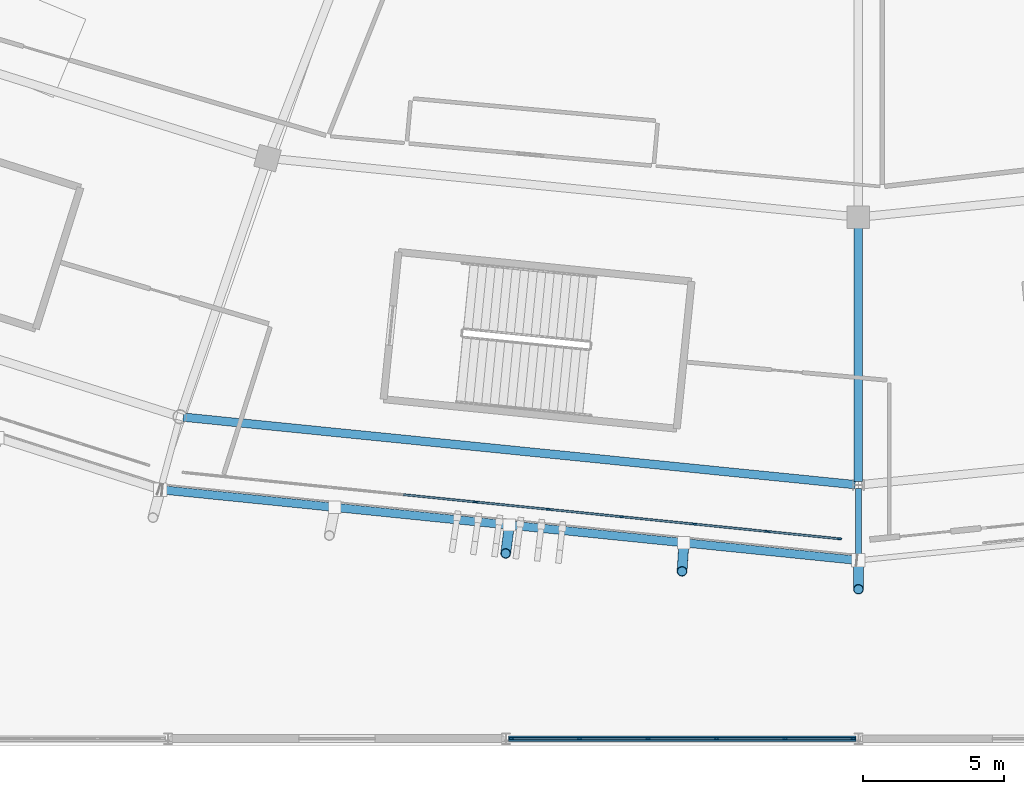
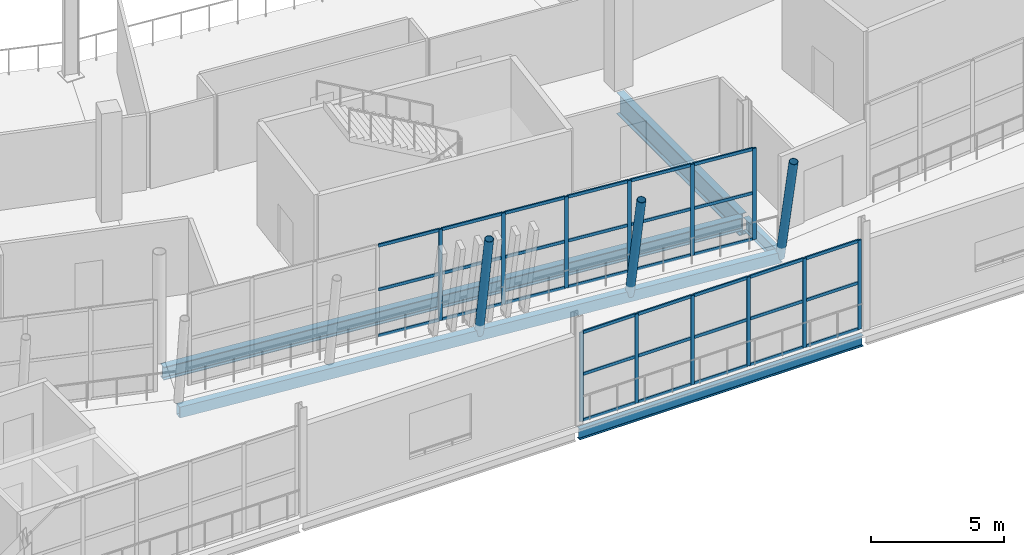
# One storey, part 36 of 179: 48 members, 5 beams, 2 elements without a shape of their own.
"""IFC4 building model written with IfcOpenShell, lengths in metres."""

import ifcopenshell
import ifcopenshell.guid

model = None  # the IFC model being written
_history = None  # IfcOwnerHistory: only IFC2X3 demands one
_inside = {}  # id of a spatial element -> (the spatial element, [elements in it])
_under = {}  # id of a project, library or spatial element -> (it, [spatial elements below it])
_declared = {}  # id of a project -> (the project, [libraries it declares])
_typed = {}  # id of a type object -> (the type object, [elements of that type])
_made_of = {}  # id of a material, layer set ... -> (it, [elements and type objects made of it])


def new_model(schema):
    """Start an empty IFC model of exactly this schema.

    Asked for "IFC4X3", IfcOpenShell would pick the latest addendum, in which some entities
    have other attributes; the version numbers below select the first issue.
    IFC2X3 requires an IfcOwnerHistory on every rooted entity: one is made here for all.
    """
    global model, _history
    if schema == "IFC4X3":
        model = ifcopenshell.file(schema_version=(4, 3, 0, 0))
    else:
        model = ifcopenshell.file(schema=schema)
    _inside.clear()
    _under.clear()
    _declared.clear()
    _typed.clear()
    _made_of.clear()
    _history = None
    if model.schema == "IFC2X3":
        org = make("IfcOrganization", Name="unknown")
        user = make(
            "IfcPersonAndOrganization",
            ThePerson=make("IfcPerson", FamilyName="unknown"),
            TheOrganization=org,
        )
        app = make(
            "IfcApplication",
            ApplicationDeveloper=org,
            Version="unknown",
            ApplicationFullName="unknown",
            ApplicationIdentifier="unknown",
        )
        _history = make(
            "IfcOwnerHistory",
            OwningUser=user,
            OwningApplication=app,
            ChangeAction="ADDED",
            CreationDate=0,
        )
    return model


def make(cls, **values):
    """One entity of the class cls with the attributes given. An attribute that is None is left unset."""
    return model.create_entity(
        cls, **{name: value for name, value in values.items() if value is not None}
    )


def rooted(cls, **values):
    """An entity with a GlobalId (a new one), such as an element, a storey or a relation."""
    return make(cls, GlobalId=ifcopenshell.guid.new(), OwnerHistory=_history, **values)


def si_unit(unit_type, name, prefix=None):
    """IfcSIUnit, for example si_unit("LENGTHUNIT", "METRE", prefix="MILLI")."""
    return make("IfcSIUnit", UnitType=unit_type, Prefix=prefix, Name=name)


def assignment(units):
    """IfcUnitAssignment: the units of a project."""
    return None if units is None else make("IfcUnitAssignment", Units=units)


def point(xyz):
    """IfcCartesianPoint."""
    return None if xyz is None else make("IfcCartesianPoint", Coordinates=xyz)


def direction(xyz):
    """IfcDirection."""
    return None if xyz is None else make("IfcDirection", DirectionRatios=xyz)


def frame(location, z_axis=None, x_axis=None):
    """IfcAxis2Placement3D, a coordinate frame: its origin and axes. An axis left out is left unset."""
    return make(
        "IfcAxis2Placement3D",
        Location=point(location),
        Axis=direction(z_axis),
        RefDirection=direction(x_axis),
    )


def frame_2d(location, x_axis=None):
    """IfcAxis2Placement2D, a coordinate frame in the plane: its origin and x axis."""
    return make(
        "IfcAxis2Placement2D", Location=point(location), RefDirection=direction(x_axis)
    )


def origin():
    """The frame at (0, 0, 0) with its axes left unset."""
    return frame((0.0, 0.0, 0.0))


def origin_2d():
    """The frame at (0, 0) in the plane with its x axis left unset."""
    return frame_2d((0.0, 0.0))


def place(relative_to, where):
    """IfcLocalPlacement: puts the frame where relative to a parent placement (None: the world)."""
    return make(
        "IfcLocalPlacement", PlacementRelTo=relative_to, RelativePlacement=where
    )


def context(
    kind, dimensions, precision=None, world=None, true_north=None, identifier=None
):
    """IfcGeometricRepresentationContext, for example the 3D "Model" context."""
    return make(
        "IfcGeometricRepresentationContext",
        ContextIdentifier=identifier,
        ContextType=kind,
        CoordinateSpaceDimension=dimensions,
        Precision=precision,
        WorldCoordinateSystem=world,
        TrueNorth=true_north,
    )


def subcontext(parent, identifier, kind, view, scale=None):
    """IfcGeometricRepresentationSubContext, for example "Body" below "Model"."""
    return make(
        "IfcGeometricRepresentationSubContext",
        ContextIdentifier=identifier,
        ContextType=kind,
        ParentContext=parent,
        TargetScale=scale,
        TargetView=view,
    )


def project(units=None, contexts=None):
    """IfcProject with its units and contexts."""
    return rooted(
        "IfcProject",
        Name="project",
        RepresentationContexts=contexts,
        UnitsInContext=assignment(units),
    )


def spatial(cls, under=None, at=None, **own):
    """A site, building, storey or space (cls), placed at a placement, below another one or the project."""
    s = rooted(cls, ObjectPlacement=at, **own)
    if under is not None:
        _under.setdefault(under.id(), (under, []))[1].append(s)
    return s


def profile(cls, at=None, kind="AREA", **sizes):
    """A parametric profile (cls). Its sizes go by their IFC names, for example OverallWidth=200.0."""
    return make(cls, ProfileType=kind, Position=at, **sizes)


def rectangle(**sizes):
    """IfcRectangleProfileDef."""
    return profile("IfcRectangleProfileDef", **sizes)


def hollow_rectangle(**sizes):
    """IfcRectangleHollowProfileDef."""
    return profile("IfcRectangleHollowProfileDef", **sizes)


def hollow_circle(**sizes):
    """IfcCircleHollowProfileDef."""
    return profile("IfcCircleHollowProfileDef", **sizes)


def i_section(**sizes):
    """IfcIShapeProfileDef."""
    return profile("IfcIShapeProfileDef", **sizes)


def extrude(swept, where, along, depth):
    """IfcExtrudedAreaSolid: the profile swept, set in the frame where, extruded along a direction by depth."""
    return make(
        "IfcExtrudedAreaSolid",
        SweptArea=swept,
        Position=where,
        ExtrudedDirection=direction(along),
        Depth=depth,
    )


def shape(context_of_items, identifier, shape_type, items):
    """IfcShapeRepresentation: the items that make up one representation, for example the "Body"."""
    return make(
        "IfcShapeRepresentation",
        ContextOfItems=context_of_items,
        RepresentationIdentifier=identifier,
        RepresentationType=shape_type,
        Items=items,
    )


def material(Name=None, Category=None):
    """IfcMaterial."""
    return make("IfcMaterial", Name=Name, Category=Category)


def material_profile(
    of_material, cross_section, Name=None, Category=None, Priority=None
):
    """IfcMaterialProfile: a cross section and its material."""
    return make(
        "IfcMaterialProfile",
        Name=Name,
        Material=of_material,
        Profile=cross_section,
        Priority=Priority,
        Category=Category,
    )


def profile_set(profiles, Name=None, composite=None):
    """IfcMaterialProfileSet."""
    return make(
        "IfcMaterialProfileSet",
        Name=Name,
        MaterialProfiles=profiles,
        CompositeProfile=composite,
    )


def made_of(thing, what):
    """Note that an element or type object is made of a material, layer set ...; save() writes the relation."""
    if what is not None:
        _made_of.setdefault(what.id(), (what, []))[1].append(thing)
    return thing


def type_object(cls, material=None, **own):
    """A type object (cls), such as IfcWallType, which elements share."""
    return made_of(rooted(cls, **own), material)


def element(
    cls,
    number,
    at=None,
    inside=None,
    cuts=None,
    type_object=None,
    material=None,
    context=None,
    identifier="Body",
    shape_type=None,
    held_by="IfcProductDefinitionShape",
    body=None,
    shapes=None,
    **own,
):
    """One element of the class cls, such as IfcWall. Its Tag is "e" and its number.

    at: its placement. inside: the storey or other place that contains it. cuts: it is an
    opening in that element (IfcRelVoidsElement). A single representation is given by context,
    identifier, shape_type and body (its items); several are given by shapes. held_by: the class
    of the entity that holds the representations. save() writes the other relations.
    """
    e = rooted(cls, Tag="e%d" % number, ObjectPlacement=at, **own)
    if body is not None:
        shapes = [shape(context, identifier, shape_type, body)]
    if shapes is not None:
        e.Representation = make(held_by, Representations=shapes)
    if inside is not None:
        _inside.setdefault(inside.id(), (inside, []))[1].append(e)
    if cuts is not None:
        rooted(
            "IfcRelVoidsElement", RelatingBuildingElement=cuts, RelatedOpeningElement=e
        )
    if type_object is not None:
        _typed.setdefault(type_object.id(), (type_object, []))[1].append(e)
    return made_of(e, material)


def aggregate(whole, parts):
    """IfcRelAggregates: a whole, such as a stair, and the parts it consists of."""
    return rooted("IfcRelAggregates", RelatingObject=whole, RelatedObjects=parts)


def save(model, path):
    """Write the relations noted so far, then the file.

    IfcRelAggregates (storeys below a building ...), IfcRelContainedInSpatialStructure (elements
    in a storey), IfcRelDefinesByType, IfcRelAssociatesMaterial and IfcRelDeclares: one each for
    every whole, place, type object, material and project.
    """
    for whole, parts in _under.values():
        aggregate(whole, parts)
    for where, things in _inside.values():
        rooted(
            "IfcRelContainedInSpatialStructure",
            RelatedElements=things,
            RelatingStructure=where,
        )
    for kind, things in _typed.values():
        rooted("IfcRelDefinesByType", RelatedObjects=things, RelatingType=kind)
    for what, things in _made_of.values():
        rooted("IfcRelAssociatesMaterial", RelatedObjects=things, RelatingMaterial=what)
    for by, libraries in _declared.values():
        rooted("IfcRelDeclares", RelatingContext=by, RelatedDefinitions=libraries)
    model.write(path)


model = new_model("IFC4")

# Units and contexts
model_context = context("Model", 3, precision=1e-05, world=origin(), true_north=direction((0.0, 1.0)))
body_context = subcontext(model_context, "Body", "Model", "MODEL_VIEW")
ifc_project = project(units=[si_unit("LENGTHUNIT", "METRE"), si_unit("AREAUNIT", "SQUARE_METRE"), si_unit("VOLUMEUNIT", "CUBIC_METRE"), si_unit("PLANEANGLEUNIT", "RADIAN"), si_unit("MASSUNIT", "GRAM", prefix="KILO")], contexts=[model_context])

# Site, building, storey
site_placement = place(None, origin())
site = spatial("IfcSite", under=ifc_project, at=site_placement, CompositionType="ELEMENT")
building_placement = place(site_placement, origin())
building = spatial("IfcBuilding", under=site, at=building_placement, Name="Zlatoyarsky Gate Stadium", CompositionType="ELEMENT")
storey_placement = place(building_placement, frame((0.0, 0.0, 10.60009765625)))
storey = spatial("IfcBuildingStorey", under=building, at=storey_placement, Name="L02", CompositionType="ELEMENT", Elevation=10.60009765625)

# Curtain wall, members
ifc_material_1 = material(Name="Thermally broken anodised aluminium curtain wall", Category="aluminium")
curtain_wall_type_1 = type_object("IfcCurtainWallType", Name="UNITISED HOSPITALITY GLAZING L02", PredefinedType="USERDEFINED", material=ifc_material_1)
curtain_wall_1_placement = place(storey_placement, origin())
curtain_wall_1 = element("IfcCurtainWall", 1, at=curtain_wall_1_placement, inside=storey, type_object=curtain_wall_type_1, Name="Curtain wall CW-L02-17", ObjectType="UNITISED GLAZING", PredefinedType="USERDEFINED")
ifc_material_2 = material(Name="Anodised aluminium 6063-T6", Category="aluminium")
ifc_material_profile_1 = material_profile(ifc_material_2, rectangle(XDim=0.06494140625, YDim=0.159912109375, at=origin_2d()), Name="ALU 65X160")
ifc_profile_set_1 = profile_set([ifc_material_profile_1], Name="Anodised aluminium 6063-T6")
member_type_1 = type_object("IfcMemberType", Name="ALUMINIUM MULLION 65X160", PredefinedType="MULLION", material=ifc_profile_set_1)
member_1_placement = place(storey_placement, frame((97.41552734375, 8.398193359375, 0.0), z_axis=(0.0, 0.0, 1.0), x_axis=(0.100644885375, 0.994922412577, 0.0)))
member_1 = element("IfcMember", 2, at=member_1_placement, type_object=member_type_1, Name="CW-UG2 mullion 5", PredefinedType="MULLION", context=body_context, shape_type="SweptSolid", body=[
    extrude(rectangle(XDim=0.06494140625, YDim=0.159912109375, at=origin_2d()), origin(), (0.0, 0.0, 1.0), 4.199951171875),
])
member_2_placement = place(storey_placement, frame((100.0029296875, 8.136474609375, 0.0), z_axis=(0.0, 0.0, 1.0), x_axis=(0.100644885375, 0.994922412577, 0.0)))
member_2 = element("IfcMember", 3, at=member_2_placement, type_object=member_type_1, Name="CW-UG2 mullion 6", PredefinedType="MULLION", context=body_context, shape_type="SweptSolid", body=[
    extrude(rectangle(XDim=0.06494140625, YDim=0.159912109375, at=origin_2d()), origin(), (0.0, 0.0, 1.0), 4.199951171875),
])
member_3_placement = place(storey_placement, frame((102.590576171875, 7.874755859375, 0.0), z_axis=(0.0, 0.0, 1.0), x_axis=(0.100644885375, 0.994922412577, 0.0)))
member_3 = element("IfcMember", 4, at=member_3_placement, type_object=member_type_1, Name="CW-UG2 mullion 7", PredefinedType="MULLION", context=body_context, shape_type="SweptSolid", body=[
    extrude(rectangle(XDim=0.06494140625, YDim=0.159912109375, at=origin_2d()), origin(), (0.0, 0.0, 1.0), 4.199951171875),
])
member_4_placement = place(storey_placement, frame((105.17822265625, 7.613037109375, 0.0), z_axis=(0.0, 0.0, 1.0), x_axis=(0.100644885375, 0.994922412577, 0.0)))
member_4 = element("IfcMember", 5, at=member_4_placement, type_object=member_type_1, Name="CW-UG2 mullion 8", PredefinedType="MULLION", context=body_context, shape_type="SweptSolid", body=[
    extrude(rectangle(XDim=0.06494140625, YDim=0.159912109375, at=origin_2d()), origin(), (0.0, 0.0, 1.0), 4.199951171875),
])
member_5_placement = place(storey_placement, frame((107.765625, 7.351318359375, 0.0), z_axis=(0.0, 0.0, 1.0), x_axis=(0.100644885375, 0.994922412577, 0.0)))
member_5 = element("IfcMember", 6, at=member_5_placement, type_object=member_type_1, Name="CW-UG2 mullion 9", PredefinedType="MULLION", context=body_context, shape_type="SweptSolid", body=[
    extrude(rectangle(XDim=0.06494140625, YDim=0.159912109375, at=origin_2d()), origin(), (0.0, 0.0, 1.0), 4.199951171875),
])
member_6_placement = place(storey_placement, frame((110.321044921875, 7.0927734375, 0.0), z_axis=(0.0, 0.0, 1.0), x_axis=(0.100644885375, 0.994922412577, 0.0)))
member_6 = element("IfcMember", 7, at=member_6_placement, type_object=member_type_1, Name="CW-UG2 mullion 10", PredefinedType="MULLION", context=body_context, shape_type="SweptSolid", body=[
    extrude(rectangle(XDim=0.06494140625, YDim=0.159912109375, at=origin_2d()), origin(), (0.0, 0.0, 1.0), 4.199951171875),
])

curtain_wall_type_2 = type_object("IfcCurtainWallType", Name="WINTER GARDEN CONSERVATORY GLAZING", PredefinedType="USERDEFINED", material=ifc_material_1)
curtain_wall_2_placement = place(storey_placement, origin())
curtain_wall_2 = element("IfcCurtainWall", 8, at=curtain_wall_2_placement, inside=storey, type_object=curtain_wall_type_2, Name="Curtain wall CW-V3_SOUTH-L02-162", ObjectType="UNITISED GLAZING", PredefinedType="USERDEFINED")
member_7_placement = place(storey_placement, frame((98.694580078125, 0.0, 0.0), z_axis=(0.0, 0.0, 1.0), x_axis=(0.0, 1.0, 0.0)))
member_7 = element("IfcMember", 9, at=member_7_placement, type_object=member_type_1, Name="CW-WG1 mullion 1", PredefinedType="MULLION", context=body_context, shape_type="SweptSolid", body=[
    extrude(rectangle(XDim=0.06494140625, YDim=0.159912109375, at=origin_2d()), origin(), (0.0, 0.0, 1.0), 4.099853515625),
])
member_8_placement = place(storey_placement, frame((101.09716796875, 0.0, 0.0), z_axis=(0.0, 0.0, 1.0), x_axis=(0.0, 1.0, 0.0)))
member_8 = element("IfcMember", 10, at=member_8_placement, type_object=member_type_1, Name="CW-WG1 mullion 2", PredefinedType="MULLION", context=body_context, shape_type="SweptSolid", body=[
    extrude(rectangle(XDim=0.06494140625, YDim=0.159912109375, at=origin_2d()), origin(), (0.0, 0.0, 1.0), 4.099853515625),
])
member_9_placement = place(storey_placement, frame((103.532470703125, 0.0, 0.0), z_axis=(0.0, 0.0, 1.0), x_axis=(0.0, 1.0, 0.0)))
member_9 = element("IfcMember", 11, at=member_9_placement, type_object=member_type_1, Name="CW-WG1 mullion 3", PredefinedType="MULLION", context=body_context, shape_type="SweptSolid", body=[
    extrude(rectangle(XDim=0.06494140625, YDim=0.159912109375, at=origin_2d()), origin(), (0.0, 0.0, 1.0), 4.099853515625),
])
member_10_placement = place(storey_placement, frame((105.967529296875, 0.0, 0.0), z_axis=(0.0, 0.0, 1.0), x_axis=(0.0, 1.0, 0.0)))
member_10 = element("IfcMember", 12, at=member_10_placement, type_object=member_type_1, Name="CW-WG1 mullion 4", PredefinedType="MULLION", context=body_context, shape_type="SweptSolid", body=[
    extrude(rectangle(XDim=0.06494140625, YDim=0.159912109375, at=origin_2d()), origin(), (0.0, 0.0, 1.0), 4.099853515625),
])
member_11_placement = place(storey_placement, frame((108.40283203125, 0.0, 0.0), z_axis=(0.0, 0.0, 1.0), x_axis=(0.0, 1.0, 0.0)))
member_11 = element("IfcMember", 13, at=member_11_placement, type_object=member_type_1, Name="CW-WG1 mullion 5", PredefinedType="MULLION", context=body_context, shape_type="SweptSolid", body=[
    extrude(rectangle(XDim=0.06494140625, YDim=0.159912109375, at=origin_2d()), origin(), (0.0, 0.0, 1.0), 4.099853515625),
])
member_12_placement = place(storey_placement, frame((110.805419921875, 0.0, 0.0), z_axis=(0.0, 0.0, 1.0), x_axis=(0.0, 1.0, 0.0)))
member_12 = element("IfcMember", 14, at=member_12_placement, type_object=member_type_1, Name="CW-WG1 mullion 6", PredefinedType="MULLION", context=body_context, shape_type="SweptSolid", body=[
    extrude(rectangle(XDim=0.06494140625, YDim=0.159912109375, at=origin_2d()), origin(), (0.0, 0.0, 1.0), 4.099853515625),
])

# Member
ifc_material_profile_2 = material_profile(ifc_material_2, rectangle(XDim=0.06494140625, YDim=0.139892578125, at=origin_2d()), Name="ALU 65X140")
ifc_profile_set_2 = profile_set([ifc_material_profile_2], Name="Anodised aluminium 6063-T6")
member_type_2 = type_object("IfcMemberType", Name="ALUMINIUM TRANSOM 65X140", PredefinedType="USERDEFINED", material=ifc_profile_set_2)
member_13_placement = place(storey_placement, frame((94.860107421875, 8.65673828125, 0.032470703125), z_axis=(0.994926000307, -0.10060941265, 0.0), x_axis=(0.10060941265, 0.994926000307, 0.0)))
member_13 = element("IfcMember", 15, at=member_13_placement, type_object=member_type_2, Name="CW-UG2 transom 4.1", ObjectType="TRANSOM", PredefinedType="USERDEFINED", context=body_context, shape_type="SweptSolid", body=[
    extrude(rectangle(XDim=0.06494140625, YDim=0.139892578125, at=origin_2d()), origin(), (0.0, 0.0, 1.0), 2.535888671875),
])

member_14_placement = place(storey_placement, frame((94.860107421875, 8.65673828125, 2.14990234375), z_axis=(0.994926000307, -0.10060941265, 0.0), x_axis=(0.10060941265, 0.994926000307, 0.0)))
member_14 = element("IfcMember", 16, at=member_14_placement, type_object=member_type_2, Name="CW-UG2 transom 4.2", ObjectType="TRANSOM", PredefinedType="USERDEFINED", context=body_context, shape_type="SweptSolid", body=[
    extrude(rectangle(XDim=0.06494140625, YDim=0.139892578125, at=origin_2d()), origin(), (0.0, 0.0, 1.0), 2.535888671875),
])

member_15_placement = place(storey_placement, frame((94.860107421875, 8.65673828125, 4.16748046875), z_axis=(0.994926000307, -0.10060941265, 0.0), x_axis=(0.10060941265, 0.994926000307, 0.0)))
member_15 = element("IfcMember", 17, at=member_15_placement, type_object=member_type_2, Name="CW-UG2 transom 4.3", ObjectType="TRANSOM", PredefinedType="USERDEFINED", context=body_context, shape_type="SweptSolid", body=[
    extrude(rectangle(XDim=0.06494140625, YDim=0.139892578125, at=origin_2d()), origin(), (0.0, 0.0, 1.0), 2.535888671875),
])

member_16_placement = place(storey_placement, frame((97.44775390625, 8.39501953125, 0.032470703125), z_axis=(0.994926000307, -0.10060941265, 0.0), x_axis=(0.10060941265, 0.994926000307, 0.0)))
member_16 = element("IfcMember", 18, at=member_16_placement, type_object=member_type_2, Name="CW-UG2 transom 5.1", ObjectType="TRANSOM", PredefinedType="USERDEFINED", context=body_context, shape_type="SweptSolid", body=[
    extrude(rectangle(XDim=0.06494140625, YDim=0.139892578125, at=origin_2d()), origin(), (0.0, 0.0, 1.0), 2.535888671875),
])

member_17_placement = place(storey_placement, frame((97.44775390625, 8.39501953125, 2.14990234375), z_axis=(0.994926000307, -0.10060941265, 0.0), x_axis=(0.10060941265, 0.994926000307, 0.0)))
member_17 = element("IfcMember", 19, at=member_17_placement, type_object=member_type_2, Name="CW-UG2 transom 5.2", ObjectType="TRANSOM", PredefinedType="USERDEFINED", context=body_context, shape_type="SweptSolid", body=[
    extrude(rectangle(XDim=0.06494140625, YDim=0.139892578125, at=origin_2d()), origin(), (0.0, 0.0, 1.0), 2.535888671875),
])

member_18_placement = place(storey_placement, frame((97.44775390625, 8.39501953125, 4.16748046875), z_axis=(0.994926000307, -0.10060941265, 0.0), x_axis=(0.10060941265, 0.994926000307, 0.0)))
member_18 = element("IfcMember", 20, at=member_18_placement, type_object=member_type_2, Name="CW-UG2 transom 5.3", ObjectType="TRANSOM", PredefinedType="USERDEFINED", context=body_context, shape_type="SweptSolid", body=[
    extrude(rectangle(XDim=0.06494140625, YDim=0.139892578125, at=origin_2d()), origin(), (0.0, 0.0, 1.0), 2.535888671875),
])

member_19_placement = place(storey_placement, frame((100.035400390625, 8.13330078125, 0.032470703125), z_axis=(0.994916358617, -0.100704713675, 0.0), x_axis=(0.100704713675, 0.994916358617, 0.0)))
member_19 = element("IfcMember", 21, at=member_19_placement, type_object=member_type_2, Name="CW-UG2 transom 6.1", ObjectType="TRANSOM", PredefinedType="USERDEFINED", context=body_context, shape_type="SweptSolid", body=[
    extrude(rectangle(XDim=0.06494140625, YDim=0.139892578125, at=origin_2d()), origin(), (0.0, 0.0, 1.0), 2.535888671875),
])

member_20_placement = place(storey_placement, frame((100.035400390625, 8.13330078125, 2.14990234375), z_axis=(0.994916358617, -0.100704713675, 0.0), x_axis=(0.100704713675, 0.994916358617, 0.0)))
member_20 = element("IfcMember", 22, at=member_20_placement, type_object=member_type_2, Name="CW-UG2 transom 6.2", ObjectType="TRANSOM", PredefinedType="USERDEFINED", context=body_context, shape_type="SweptSolid", body=[
    extrude(rectangle(XDim=0.06494140625, YDim=0.139892578125, at=origin_2d()), origin(), (0.0, 0.0, 1.0), 2.535888671875),
])

member_21_placement = place(storey_placement, frame((100.035400390625, 8.13330078125, 4.16748046875), z_axis=(0.994916358617, -0.100704713675, 0.0), x_axis=(0.100704713675, 0.994916358617, 0.0)))
member_21 = element("IfcMember", 23, at=member_21_placement, type_object=member_type_2, Name="CW-UG2 transom 6.3", ObjectType="TRANSOM", PredefinedType="USERDEFINED", context=body_context, shape_type="SweptSolid", body=[
    extrude(rectangle(XDim=0.06494140625, YDim=0.139892578125, at=origin_2d()), origin(), (0.0, 0.0, 1.0), 2.535888671875),
])

member_22_placement = place(storey_placement, frame((102.622802734375, 7.87158203125, 0.032470703125), z_axis=(0.994916358617, -0.100704713675, 0.0), x_axis=(0.100704713675, 0.994916358617, 0.0)))
member_22 = element("IfcMember", 24, at=member_22_placement, type_object=member_type_2, Name="CW-UG2 transom 7.1", ObjectType="TRANSOM", PredefinedType="USERDEFINED", context=body_context, shape_type="SweptSolid", body=[
    extrude(rectangle(XDim=0.06494140625, YDim=0.139892578125, at=origin_2d()), origin(), (0.0, 0.0, 1.0), 2.535888671875),
])

member_23_placement = place(storey_placement, frame((102.622802734375, 7.87158203125, 2.14990234375), z_axis=(0.994916358617, -0.100704713675, 0.0), x_axis=(0.100704713675, 0.994916358617, 0.0)))
member_23 = element("IfcMember", 25, at=member_23_placement, type_object=member_type_2, Name="CW-UG2 transom 7.2", ObjectType="TRANSOM", PredefinedType="USERDEFINED", context=body_context, shape_type="SweptSolid", body=[
    extrude(rectangle(XDim=0.06494140625, YDim=0.139892578125, at=origin_2d()), origin(), (0.0, 0.0, 1.0), 2.535888671875),
])

member_24_placement = place(storey_placement, frame((102.622802734375, 7.87158203125, 4.16748046875), z_axis=(0.994916358617, -0.100704713675, 0.0), x_axis=(0.100704713675, 0.994916358617, 0.0)))
member_24 = element("IfcMember", 26, at=member_24_placement, type_object=member_type_2, Name="CW-UG2 transom 7.3", ObjectType="TRANSOM", PredefinedType="USERDEFINED", context=body_context, shape_type="SweptSolid", body=[
    extrude(rectangle(XDim=0.06494140625, YDim=0.139892578125, at=origin_2d()), origin(), (0.0, 0.0, 1.0), 2.535888671875),
])

member_25_placement = place(storey_placement, frame((105.21044921875, 7.609619140625, 0.032470703125), z_axis=(0.994926000307, -0.10060941265, 0.0), x_axis=(0.10060941265, 0.994926000307, 0.0)))
member_25 = element("IfcMember", 27, at=member_25_placement, type_object=member_type_2, Name="CW-UG2 transom 8.1", ObjectType="TRANSOM", PredefinedType="USERDEFINED", context=body_context, shape_type="SweptSolid", body=[
    extrude(rectangle(XDim=0.06494140625, YDim=0.139892578125, at=origin_2d()), origin(), (0.0, 0.0, 1.0), 2.535888671875),
])

member_26_placement = place(storey_placement, frame((105.21044921875, 7.609619140625, 2.14990234375), z_axis=(0.994926000307, -0.10060941265, 0.0), x_axis=(0.10060941265, 0.994926000307, 0.0)))
member_26 = element("IfcMember", 28, at=member_26_placement, type_object=member_type_2, Name="CW-UG2 transom 8.2", ObjectType="TRANSOM", PredefinedType="USERDEFINED", context=body_context, shape_type="SweptSolid", body=[
    extrude(rectangle(XDim=0.06494140625, YDim=0.139892578125, at=origin_2d()), origin(), (0.0, 0.0, 1.0), 2.535888671875),
])

member_27_placement = place(storey_placement, frame((105.21044921875, 7.609619140625, 4.16748046875), z_axis=(0.994926000307, -0.10060941265, 0.0), x_axis=(0.10060941265, 0.994926000307, 0.0)))
member_27 = element("IfcMember", 29, at=member_27_placement, type_object=member_type_2, Name="CW-UG2 transom 8.3", ObjectType="TRANSOM", PredefinedType="USERDEFINED", context=body_context, shape_type="SweptSolid", body=[
    extrude(rectangle(XDim=0.06494140625, YDim=0.139892578125, at=origin_2d()), origin(), (0.0, 0.0, 1.0), 2.535888671875),
])

member_28_placement = place(storey_placement, frame((107.798095703125, 7.347900390625, 0.032470703125), z_axis=(0.994921612986, -0.100652789393, 0.0), x_axis=(0.100652789393, 0.994921612986, 0.0)))
member_28 = element("IfcMember", 30, at=member_28_placement, type_object=member_type_2, Name="CW-UG2 transom 9.1", ObjectType="TRANSOM", PredefinedType="USERDEFINED", context=body_context, shape_type="SweptSolid", body=[
    extrude(rectangle(XDim=0.06494140625, YDim=0.139892578125, at=origin_2d()), origin(), (0.0, 0.0, 1.0), 2.503173828125),
])

member_29_placement = place(storey_placement, frame((107.798095703125, 7.347900390625, 2.14990234375), z_axis=(0.994921612986, -0.100652789393, 0.0), x_axis=(0.100652789393, 0.994921612986, 0.0)))
member_29 = element("IfcMember", 31, at=member_29_placement, type_object=member_type_2, Name="CW-UG2 transom 9.2", ObjectType="TRANSOM", PredefinedType="USERDEFINED", context=body_context, shape_type="SweptSolid", body=[
    extrude(rectangle(XDim=0.06494140625, YDim=0.139892578125, at=origin_2d()), origin(), (0.0, 0.0, 1.0), 2.503173828125),
])

member_30_placement = place(storey_placement, frame((107.798095703125, 7.347900390625, 4.16748046875), z_axis=(0.994921612986, -0.100652789393, 0.0), x_axis=(0.100652789393, 0.994921612986, 0.0)))
member_30 = element("IfcMember", 32, at=member_30_placement, type_object=member_type_2, Name="CW-UG2 transom 9.3", ObjectType="TRANSOM", PredefinedType="USERDEFINED", context=body_context, shape_type="SweptSolid", body=[
    extrude(rectangle(XDim=0.06494140625, YDim=0.139892578125, at=origin_2d()), origin(), (0.0, 0.0, 1.0), 2.503173828125),
])

aggregate(curtain_wall_1, [member_1, member_2, member_3, member_4, member_5, member_6, member_13, member_14, member_15, member_16, member_17, member_18, member_19, member_20, member_21, member_22, member_23, member_24, member_25, member_26, member_27, member_28, member_29, member_30])

member_31_placement = place(storey_placement, frame((98.72705078125, 0.0, 0.032470703125), z_axis=(1.0, 0.0, 0.0), x_axis=(0.0, 1.0, 0.0)))
member_31 = element("IfcMember", 33, at=member_31_placement, type_object=member_type_2, Name="CW-WG1 transom 1.1", ObjectType="TRANSOM", PredefinedType="USERDEFINED", context=body_context, shape_type="SweptSolid", body=[
    extrude(rectangle(XDim=0.06494140625, YDim=0.139892578125, at=origin_2d()), origin(), (0.0, 0.0, 1.0), 2.337646484375),
])

member_32_placement = place(storey_placement, frame((98.72705078125, 0.0, 2.14990234375), z_axis=(1.0, 0.0, 0.0), x_axis=(0.0, 1.0, 0.0)))
member_32 = element("IfcMember", 34, at=member_32_placement, type_object=member_type_2, Name="CW-WG1 transom 1.2", ObjectType="TRANSOM", PredefinedType="USERDEFINED", context=body_context, shape_type="SweptSolid", body=[
    extrude(rectangle(XDim=0.06494140625, YDim=0.139892578125, at=origin_2d()), origin(), (0.0, 0.0, 1.0), 2.337646484375),
])

member_33_placement = place(storey_placement, frame((98.72705078125, 0.0, 4.0673828125), z_axis=(1.0, 0.0, 0.0), x_axis=(0.0, 1.0, 0.0)))
member_33 = element("IfcMember", 35, at=member_33_placement, type_object=member_type_2, Name="CW-WG1 transom 1.3", ObjectType="TRANSOM", PredefinedType="USERDEFINED", context=body_context, shape_type="SweptSolid", body=[
    extrude(rectangle(XDim=0.06494140625, YDim=0.139892578125, at=origin_2d()), origin(), (0.0, 0.0, 1.0), 2.337646484375),
])

member_34_placement = place(storey_placement, frame((101.129638671875, 0.0, 0.032470703125), z_axis=(1.0, 0.0, 0.0), x_axis=(0.0, 1.0, 0.0)))
member_34 = element("IfcMember", 36, at=member_34_placement, type_object=member_type_2, Name="CW-WG1 transom 2.1", ObjectType="TRANSOM", PredefinedType="USERDEFINED", context=body_context, shape_type="SweptSolid", body=[
    extrude(rectangle(XDim=0.06494140625, YDim=0.139892578125, at=origin_2d()), origin(), (0.0, 0.0, 1.0), 2.370361328125),
])

member_35_placement = place(storey_placement, frame((101.129638671875, 0.0, 2.14990234375), z_axis=(1.0, 0.0, 0.0), x_axis=(0.0, 1.0, 0.0)))
member_35 = element("IfcMember", 37, at=member_35_placement, type_object=member_type_2, Name="CW-WG1 transom 2.2", ObjectType="TRANSOM", PredefinedType="USERDEFINED", context=body_context, shape_type="SweptSolid", body=[
    extrude(rectangle(XDim=0.06494140625, YDim=0.139892578125, at=origin_2d()), origin(), (0.0, 0.0, 1.0), 2.370361328125),
])

member_36_placement = place(storey_placement, frame((101.129638671875, 0.0, 4.0673828125), z_axis=(1.0, 0.0, 0.0), x_axis=(0.0, 1.0, 0.0)))
member_36 = element("IfcMember", 38, at=member_36_placement, type_object=member_type_2, Name="CW-WG1 transom 2.3", ObjectType="TRANSOM", PredefinedType="USERDEFINED", context=body_context, shape_type="SweptSolid", body=[
    extrude(rectangle(XDim=0.06494140625, YDim=0.139892578125, at=origin_2d()), origin(), (0.0, 0.0, 1.0), 2.370361328125),
])

member_37_placement = place(storey_placement, frame((103.56494140625, 0.0, 0.032470703125), z_axis=(1.0, 0.0, 0.0), x_axis=(0.0, 1.0, 0.0)))
member_37 = element("IfcMember", 39, at=member_37_placement, type_object=member_type_2, Name="CW-WG1 transom 3.1", ObjectType="TRANSOM", PredefinedType="USERDEFINED", context=body_context, shape_type="SweptSolid", body=[
    extrude(rectangle(XDim=0.06494140625, YDim=0.139892578125, at=origin_2d()), origin(), (0.0, 0.0, 1.0), 2.3701171875),
])

member_38_placement = place(storey_placement, frame((103.56494140625, 0.0, 2.14990234375), z_axis=(1.0, 0.0, 0.0), x_axis=(0.0, 1.0, 0.0)))
member_38 = element("IfcMember", 40, at=member_38_placement, type_object=member_type_2, Name="CW-WG1 transom 3.2", ObjectType="TRANSOM", PredefinedType="USERDEFINED", context=body_context, shape_type="SweptSolid", body=[
    extrude(rectangle(XDim=0.06494140625, YDim=0.139892578125, at=origin_2d()), origin(), (0.0, 0.0, 1.0), 2.3701171875),
])

member_39_placement = place(storey_placement, frame((103.56494140625, 0.0, 4.0673828125), z_axis=(1.0, 0.0, 0.0), x_axis=(0.0, 1.0, 0.0)))
member_39 = element("IfcMember", 41, at=member_39_placement, type_object=member_type_2, Name="CW-WG1 transom 3.3", ObjectType="TRANSOM", PredefinedType="USERDEFINED", context=body_context, shape_type="SweptSolid", body=[
    extrude(rectangle(XDim=0.06494140625, YDim=0.139892578125, at=origin_2d()), origin(), (0.0, 0.0, 1.0), 2.3701171875),
])

member_40_placement = place(storey_placement, frame((106.0, 0.0, 0.032470703125), z_axis=(1.0, 0.0, 0.0), x_axis=(0.0, 1.0, 0.0)))
member_40 = element("IfcMember", 42, at=member_40_placement, type_object=member_type_2, Name="CW-WG1 transom 4.1", ObjectType="TRANSOM", PredefinedType="USERDEFINED", context=body_context, shape_type="SweptSolid", body=[
    extrude(rectangle(XDim=0.06494140625, YDim=0.139892578125, at=origin_2d()), origin(), (0.0, 0.0, 1.0), 2.370361328125),
])

member_41_placement = place(storey_placement, frame((106.0, 0.0, 2.14990234375), z_axis=(1.0, 0.0, 0.0), x_axis=(0.0, 1.0, 0.0)))
member_41 = element("IfcMember", 43, at=member_41_placement, type_object=member_type_2, Name="CW-WG1 transom 4.2", ObjectType="TRANSOM", PredefinedType="USERDEFINED", context=body_context, shape_type="SweptSolid", body=[
    extrude(rectangle(XDim=0.06494140625, YDim=0.139892578125, at=origin_2d()), origin(), (0.0, 0.0, 1.0), 2.370361328125),
])

member_42_placement = place(storey_placement, frame((106.0, 0.0, 4.0673828125), z_axis=(1.0, 0.0, 0.0), x_axis=(0.0, 1.0, 0.0)))
member_42 = element("IfcMember", 44, at=member_42_placement, type_object=member_type_2, Name="CW-WG1 transom 4.3", ObjectType="TRANSOM", PredefinedType="USERDEFINED", context=body_context, shape_type="SweptSolid", body=[
    extrude(rectangle(XDim=0.06494140625, YDim=0.139892578125, at=origin_2d()), origin(), (0.0, 0.0, 1.0), 2.370361328125),
])

member_43_placement = place(storey_placement, frame((108.435302734375, 0.0, 0.032470703125), z_axis=(1.0, 0.0, 0.0), x_axis=(0.0, 1.0, 0.0)))
member_43 = element("IfcMember", 45, at=member_43_placement, type_object=member_type_2, Name="CW-WG1 transom 5.1", ObjectType="TRANSOM", PredefinedType="USERDEFINED", context=body_context, shape_type="SweptSolid", body=[
    extrude(rectangle(XDim=0.06494140625, YDim=0.139892578125, at=origin_2d()), origin(), (0.0, 0.0, 1.0), 2.337646484375),
])

member_44_placement = place(storey_placement, frame((108.435302734375, 0.0, 2.14990234375), z_axis=(1.0, 0.0, 0.0), x_axis=(0.0, 1.0, 0.0)))
member_44 = element("IfcMember", 46, at=member_44_placement, type_object=member_type_2, Name="CW-WG1 transom 5.2", ObjectType="TRANSOM", PredefinedType="USERDEFINED", context=body_context, shape_type="SweptSolid", body=[
    extrude(rectangle(XDim=0.06494140625, YDim=0.139892578125, at=origin_2d()), origin(), (0.0, 0.0, 1.0), 2.337646484375),
])

member_45_placement = place(storey_placement, frame((108.435302734375, 0.0, 4.0673828125), z_axis=(1.0, 0.0, 0.0), x_axis=(0.0, 1.0, 0.0)))
member_45 = element("IfcMember", 47, at=member_45_placement, type_object=member_type_2, Name="CW-WG1 transom 5.3", ObjectType="TRANSOM", PredefinedType="USERDEFINED", context=body_context, shape_type="SweptSolid", body=[
    extrude(rectangle(XDim=0.06494140625, YDim=0.139892578125, at=origin_2d()), origin(), (0.0, 0.0, 1.0), 2.337646484375),
])

aggregate(curtain_wall_2, [member_7, member_8, member_9, member_10, member_11, member_12, member_31, member_32, member_33, member_34, member_35, member_36, member_37, member_38, member_39, member_40, member_41, member_42, member_43, member_44, member_45])

# Beams
ifc_material_3 = material(Name="Steel S355", Category="steel")
ifc_material_profile_3 = material_profile(ifc_material_3, i_section(OverallWidth=0.219970703125, OverallDepth=0.60009765625, WebThickness=0.011962890625, FlangeThickness=0.01904296875, FilletRadius=0.02392578125, at=origin_2d()), Name="IPE 600")
ifc_profile_set_3 = profile_set([ifc_material_profile_3], Name="Steel S355")
beam_type_1 = type_object("IfcBeamType", Name="STEEL CANTILEVER FLOOR BEAM IPE 600", PredefinedType="BEAM", material=ifc_profile_set_3)
beam_1_placement = place(storey_placement, frame((111.0, 8.8798828125, -0.580078125), z_axis=(0.0, -1.0, 0.0), x_axis=(1.0, 0.0, 0.0)))
element("IfcBeam", 48, at=beam_1_placement, inside=storey, type_object=beam_type_1, Name="Beam B-IPE600 BM-L02-OUT-18", PredefinedType="BEAM", context=body_context, shape_type="SweptSolid", body=[
    extrude(i_section(OverallWidth=0.219970703125, OverallDepth=0.60009765625, WebThickness=0.011962890625, FlangeThickness=0.01904296875, FilletRadius=0.02392578125, at=origin_2d()), origin(), (0.0, 0.0, 1.0), 2.5556640625),
])
ifc_material_profile_4 = material_profile(ifc_material_3, i_section(OverallWidth=0.199951171875, OverallDepth=0.5, WebThickness=0.01025390625, FlangeThickness=0.01611328125, FilletRadius=0.02099609375, at=origin_2d()), Name="IPE 500")
ifc_profile_set_4 = profile_set([ifc_material_profile_4], Name="Steel S355")
beam_type_2 = type_object("IfcBeamType", Name="STEEL FLOOR BEAM IPE 500", PredefinedType="BEAM", material=ifc_profile_set_4)
beam_2_placement = place(storey_placement, frame((98.580078125, 0.0, -0.530029296875), z_axis=(1.0, 0.0, 0.0), x_axis=(0.0, 1.0, 0.0)))
element("IfcBeam", 49, at=beam_2_placement, inside=storey, type_object=beam_type_2, Name="Beam B-IPE500 BM-L02-WGX-9-A", PredefinedType="BEAM", context=body_context, shape_type="SweptSolid", body=[
    extrude(i_section(OverallWidth=0.199951171875, OverallDepth=0.5, WebThickness=0.01025390625, FlangeThickness=0.01611328125, FilletRadius=0.02099609375, at=origin_2d()), origin(), (0.0, 0.0, 1.0), 12.33984375),
])

# Members
ifc_material_profile_5 = material_profile(ifc_material_3, hollow_circle(Radius=0.177734375, WallThickness=0.02001953125, at=origin_2d()), Name="CHS 355.6X20")
ifc_profile_set_5 = profile_set([ifc_material_profile_5], Name="Steel S355")
member_type_3 = type_object("IfcMemberType", Name="STEEL LEANING RIB RING STRUT CHS 355.6X20", PredefinedType="STRUT", material=ifc_profile_set_5)
member_46_placement = place(storey_placement, frame((111.0, 6.32421875, -0.580078125), z_axis=(0.0, -0.201080663232, 0.979574686726), x_axis=(1.0, 0.0, 0.0)))
element("IfcMember", 50, at=member_46_placement, inside=storey, type_object=member_type_3, Name="Leaning ring strut 18 L02 to L03", PredefinedType="STRUT", context=body_context, shape_type="SweptSolid", body=[
    extrude(hollow_circle(Radius=0.177734375, WallThickness=0.02001953125, at=origin_2d()), origin(), (0.0, 0.0, 1.0), 5.104248046875),
])
member_47_placement = place(storey_placement, frame((98.61865234375, 7.579345703125, -0.530029296875), z_axis=(-0.026029013231, -0.197705666672, 0.979915792217), x_axis=(0.991444492486, -0.13052899417, 0.0)))
element("IfcMember", 51, at=member_47_placement, inside=storey, type_object=member_type_3, Name="Outward-leaning bowl louvre fin rib L02 17-2", PredefinedType="STRUT", context=body_context, shape_type="SweptSolid", body=[
    extrude(hollow_circle(Radius=0.177734375, WallThickness=0.02001953125, at=origin_2d()), origin(), (0.0, 0.0, 1.0), 5.1025390625),
])
member_48_placement = place(storey_placement, frame((104.809326171875, 6.95166015625, -0.530029296875), z_axis=(-0.013013361918, -0.1994106341, 0.979829603257), x_axis=(0.997877401135, -0.065120598155, 0.0)))
element("IfcMember", 52, at=member_48_placement, inside=storey, type_object=member_type_3, Name="Outward-leaning bowl louvre fin rib L02 17-3", PredefinedType="STRUT", context=body_context, shape_type="SweptSolid", body=[
    extrude(hollow_circle(Radius=0.177734375, WallThickness=0.02001953125, at=origin_2d()), origin(), (0.0, 0.0, 1.0), 5.10302734375),
])

# Beams
ifc_material_profile_6 = material_profile(ifc_material_3, hollow_rectangle(XDim=0.300048828125, YDim=0.5, WallThickness=0.02001953125, at=origin_2d()), Name="RHS 500X300X20")
ifc_profile_set_6 = profile_set([ifc_material_profile_6], Name="Steel S355")
beam_type_3 = type_object("IfcBeamType", Name="STEEL LOUVRE CARRIER SPANDREL RHS 500X300X20", PredefinedType="SPANDREL", material=ifc_profile_set_6)
beam_3_placement = place(storey_placement, frame((86.257080078125, 8.83251953125, -0.530029296875), z_axis=(0.994900567016, -0.10086060555, 0.0), x_axis=(0.10086060555, 0.994900567016, 0.0)))
element("IfcBeam", 53, at=beam_3_placement, inside=storey, type_object=beam_type_3, Name="Beam SP-RHS500 BM-L02-SPD-17", PredefinedType="SPANDREL", context=body_context, shape_type="SweptSolid", body=[
    extrude(hollow_rectangle(XDim=0.300048828125, YDim=0.5, WallThickness=0.02001953125, at=origin_2d()), origin(), (0.0, 0.0, 1.0), 24.849609375),
])
ifc_material_profile_7 = material_profile(ifc_material_3, i_section(OverallWidth=0.300048828125, OverallDepth=0.60009765625, WebThickness=0.015380859375, FlangeThickness=0.030029296875, FilletRadius=0.027099609375, at=origin_2d()), Name="HEB 600")
ifc_profile_set_7 = profile_set([ifc_material_profile_7], Name="Steel S355")
beam_type_4 = type_object("IfcBeamType", Name="STEEL PRIMARY GIRDER HEB 600", PredefinedType="BEAM", material=ifc_profile_set_7)
beam_4_placement = place(storey_placement, frame((87.04931640625, 11.4072265625, -0.580078125), z_axis=(0.994986905268, -0.100005291586, 0.0), x_axis=(0.100005291586, 0.994986905268, 0.0)))
element("IfcBeam", 54, at=beam_4_placement, inside=storey, type_object=beam_type_4, Name="Beam G-HEB600 BM-L02-CRC-17", PredefinedType="BEAM", context=body_context, shape_type="SweptSolid", body=[
    extrude(i_section(OverallWidth=0.300048828125, OverallDepth=0.60009765625, WebThickness=0.015380859375, FlangeThickness=0.030029296875, FilletRadius=0.027099609375, at=origin_2d()), origin(), (0.0, 0.0, 1.0), 23.951416015625),
])
ifc_material_profile_8 = material_profile(ifc_material_3, i_section(OverallWidth=0.300048828125, OverallDepth=1.0, WebThickness=0.01904296875, FlangeThickness=0.035888671875, FilletRadius=0.030029296875, at=origin_2d()), Name="HEB 1000")
ifc_profile_set_8 = profile_set([ifc_material_profile_8], Name="Steel S355")
beam_type_5 = type_object("IfcBeamType", Name="STEEL TRANSFER GIRDER HEB 1000", PredefinedType="BEAM", material=ifc_profile_set_8)
beam_5_placement = place(storey_placement, frame((111.0, 18.3798828125, -0.780029296875), z_axis=(0.0, -1.0, 0.0), x_axis=(1.0, 0.0, 0.0)))
element("IfcBeam", 55, at=beam_5_placement, inside=storey, type_object=beam_type_5, Name="Beam G-HEB1000 BM-L02-RBC-18", PredefinedType="BEAM", context=body_context, shape_type="SweptSolid", body=[
    extrude(i_section(OverallWidth=0.300048828125, OverallDepth=1.0, WebThickness=0.01904296875, FlangeThickness=0.035888671875, FilletRadius=0.030029296875, at=origin_2d()), origin(), (0.0, 0.0, 1.0), 9.259765625),
])

save(model, "model.ifc")
